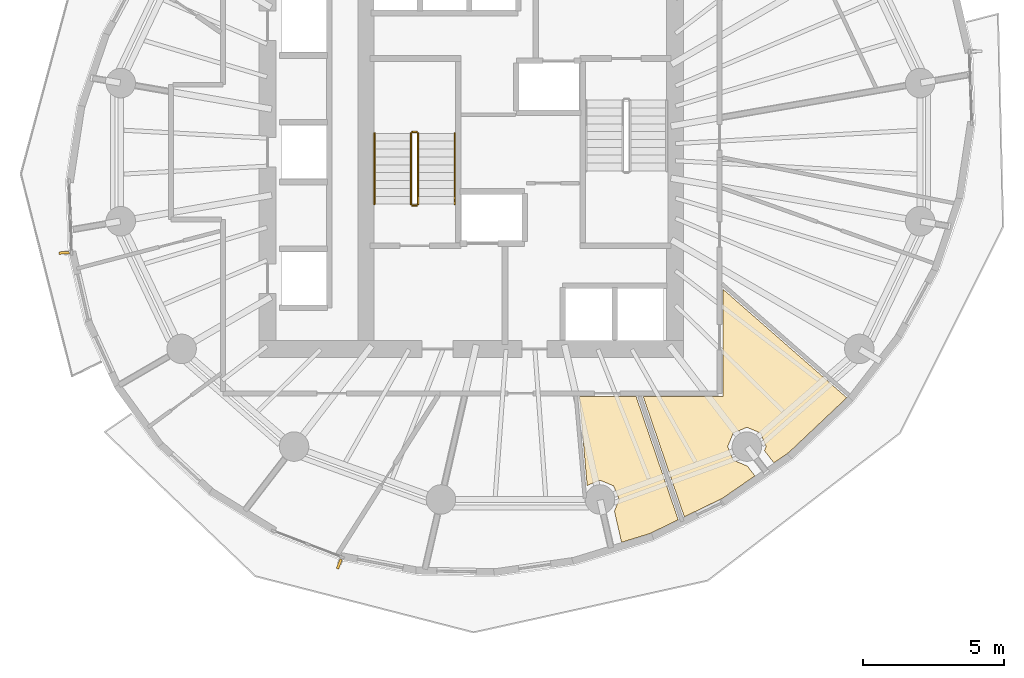
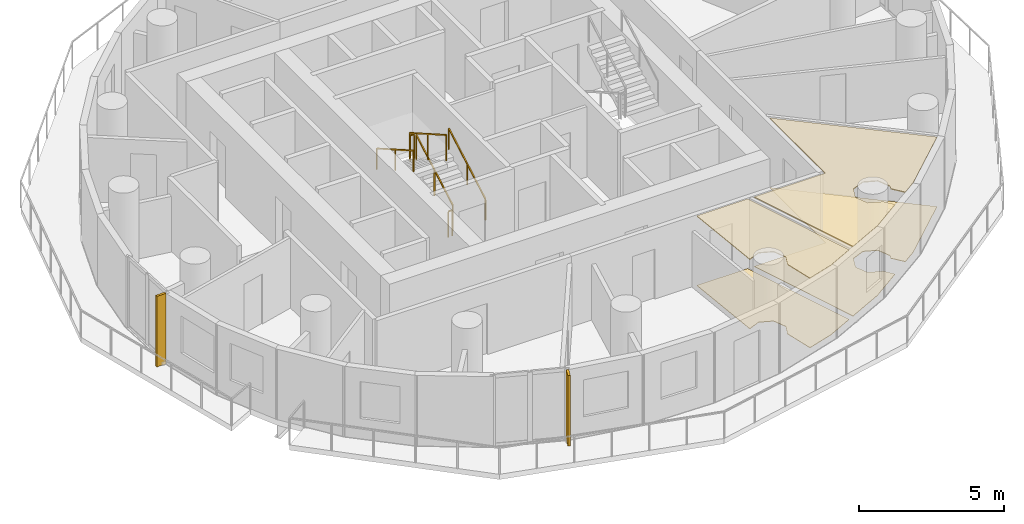
# One storey, part 10 of 14: 6 railings, 4 coverings, 2 shading devices.
"""IFC4 building model written with IfcOpenShell, lengths in metres."""

import ifcopenshell
import ifcopenshell.guid

model = None  # the IFC model being written
_history = None  # IfcOwnerHistory: only IFC2X3 demands one
_inside = {}  # id of a spatial element -> (the spatial element, [elements in it])
_under = {}  # id of a project, library or spatial element -> (it, [spatial elements below it])
_declared = {}  # id of a project -> (the project, [libraries it declares])
_typed = {}  # id of a type object -> (the type object, [elements of that type])
_made_of = {}  # id of a material, layer set ... -> (it, [elements and type objects made of it])


def new_model(schema):
    """Start an empty IFC model of exactly this schema.

    Asked for "IFC4X3", IfcOpenShell would pick the latest addendum, in which some entities
    have other attributes; the version numbers below select the first issue.
    IFC2X3 requires an IfcOwnerHistory on every rooted entity: one is made here for all.
    """
    global model, _history
    if schema == "IFC4X3":
        model = ifcopenshell.file(schema_version=(4, 3, 0, 0))
    else:
        model = ifcopenshell.file(schema=schema)
    _inside.clear()
    _under.clear()
    _declared.clear()
    _typed.clear()
    _made_of.clear()
    _history = None
    if model.schema == "IFC2X3":
        org = make("IfcOrganization", Name="unknown")
        user = make(
            "IfcPersonAndOrganization",
            ThePerson=make("IfcPerson", FamilyName="unknown"),
            TheOrganization=org,
        )
        app = make(
            "IfcApplication",
            ApplicationDeveloper=org,
            Version="unknown",
            ApplicationFullName="unknown",
            ApplicationIdentifier="unknown",
        )
        _history = make(
            "IfcOwnerHistory",
            OwningUser=user,
            OwningApplication=app,
            ChangeAction="ADDED",
            CreationDate=0,
        )
    return model


def make(cls, **values):
    """One entity of the class cls with the attributes given. An attribute that is None is left unset."""
    return model.create_entity(
        cls, **{name: value for name, value in values.items() if value is not None}
    )


def rooted(cls, **values):
    """An entity with a GlobalId (a new one), such as an element, a storey or a relation."""
    return make(cls, GlobalId=ifcopenshell.guid.new(), OwnerHistory=_history, **values)


def si_unit(unit_type, name, prefix=None):
    """IfcSIUnit, for example si_unit("LENGTHUNIT", "METRE", prefix="MILLI")."""
    return make("IfcSIUnit", UnitType=unit_type, Prefix=prefix, Name=name)


def assignment(units):
    """IfcUnitAssignment: the units of a project."""
    return None if units is None else make("IfcUnitAssignment", Units=units)


def point(xyz):
    """IfcCartesianPoint."""
    return None if xyz is None else make("IfcCartesianPoint", Coordinates=xyz)


def direction(xyz):
    """IfcDirection."""
    return None if xyz is None else make("IfcDirection", DirectionRatios=xyz)


def frame(location, z_axis=None, x_axis=None):
    """IfcAxis2Placement3D, a coordinate frame: its origin and axes. An axis left out is left unset."""
    return make(
        "IfcAxis2Placement3D",
        Location=point(location),
        Axis=direction(z_axis),
        RefDirection=direction(x_axis),
    )


def frame_2d(location, x_axis=None):
    """IfcAxis2Placement2D, a coordinate frame in the plane: its origin and x axis."""
    return make(
        "IfcAxis2Placement2D", Location=point(location), RefDirection=direction(x_axis)
    )


def origin():
    """The frame at (0, 0, 0) with its axes left unset."""
    return frame((0.0, 0.0, 0.0))


def origin_2d():
    """The frame at (0, 0) in the plane with its x axis left unset."""
    return frame_2d((0.0, 0.0))


def place(relative_to, where):
    """IfcLocalPlacement: puts the frame where relative to a parent placement (None: the world)."""
    return make(
        "IfcLocalPlacement", PlacementRelTo=relative_to, RelativePlacement=where
    )


def context(
    kind, dimensions, precision=None, world=None, true_north=None, identifier=None
):
    """IfcGeometricRepresentationContext, for example the 3D "Model" context."""
    return make(
        "IfcGeometricRepresentationContext",
        ContextIdentifier=identifier,
        ContextType=kind,
        CoordinateSpaceDimension=dimensions,
        Precision=precision,
        WorldCoordinateSystem=world,
        TrueNorth=true_north,
    )


def subcontext(parent, identifier, kind, view, scale=None):
    """IfcGeometricRepresentationSubContext, for example "Body" below "Model"."""
    return make(
        "IfcGeometricRepresentationSubContext",
        ContextIdentifier=identifier,
        ContextType=kind,
        ParentContext=parent,
        TargetScale=scale,
        TargetView=view,
    )


def project(units=None, contexts=None):
    """IfcProject with its units and contexts."""
    return rooted(
        "IfcProject",
        Name="project",
        RepresentationContexts=contexts,
        UnitsInContext=assignment(units),
    )


def spatial(cls, under=None, at=None, **own):
    """A site, building, storey or space (cls), placed at a placement, below another one or the project."""
    s = rooted(cls, ObjectPlacement=at, **own)
    if under is not None:
        _under.setdefault(under.id(), (under, []))[1].append(s)
    return s


def polyline(points):
    """IfcPolyline through the points."""
    return make("IfcPolyline", Points=[point(p) for p in points])


def profile(cls, at=None, kind="AREA", **sizes):
    """A parametric profile (cls). Its sizes go by their IFC names, for example OverallWidth=200.0."""
    return make(cls, ProfileType=kind, Position=at, **sizes)


def rectangle(**sizes):
    """IfcRectangleProfileDef."""
    return profile("IfcRectangleProfileDef", **sizes)


def outline(outer, holes=None, kind="AREA"):
    """IfcArbitraryClosedProfileDef: a profile drawn as a closed curve; with holes, ...WithVoids."""
    if holes is None:
        return make("IfcArbitraryClosedProfileDef", ProfileType=kind, OuterCurve=outer)
    return make(
        "IfcArbitraryProfileDefWithVoids",
        ProfileType=kind,
        OuterCurve=outer,
        InnerCurves=holes,
    )


def extrude(swept, where, along, depth):
    """IfcExtrudedAreaSolid: the profile swept, set in the frame where, extruded along a direction by depth."""
    return make(
        "IfcExtrudedAreaSolid",
        SweptArea=swept,
        Position=where,
        ExtrudedDirection=direction(along),
        Depth=depth,
    )


def shape(context_of_items, identifier, shape_type, items):
    """IfcShapeRepresentation: the items that make up one representation, for example the "Body"."""
    return make(
        "IfcShapeRepresentation",
        ContextOfItems=context_of_items,
        RepresentationIdentifier=identifier,
        RepresentationType=shape_type,
        Items=items,
    )


def material(Name=None, Category=None):
    """IfcMaterial."""
    return make("IfcMaterial", Name=Name, Category=Category)


def layer(
    of_material, thickness, ventilated=None, Name=None, Category=None, Priority=None
):
    """IfcMaterialLayer: one layer of a wall or slab, of a material (None: an air gap)."""
    return make(
        "IfcMaterialLayer",
        Material=of_material,
        LayerThickness=thickness,
        IsVentilated=ventilated,
        Name=Name,
        Category=Category,
        Priority=Priority,
    )


def layer_set(layers, Name=None):
    """IfcMaterialLayerSet."""
    return make("IfcMaterialLayerSet", MaterialLayers=layers, LayerSetName=Name)


def made_of(thing, what):
    """Note that an element or type object is made of a material, layer set ...; save() writes the relation."""
    if what is not None:
        _made_of.setdefault(what.id(), (what, []))[1].append(thing)
    return thing


def type_object(cls, material=None, **own):
    """A type object (cls), such as IfcWallType, which elements share."""
    return made_of(rooted(cls, **own), material)


def element(
    cls,
    number,
    at=None,
    inside=None,
    cuts=None,
    type_object=None,
    material=None,
    context=None,
    identifier="Body",
    shape_type=None,
    held_by="IfcProductDefinitionShape",
    body=None,
    shapes=None,
    **own,
):
    """One element of the class cls, such as IfcWall. Its Tag is "e" and its number.

    at: its placement. inside: the storey or other place that contains it. cuts: it is an
    opening in that element (IfcRelVoidsElement). A single representation is given by context,
    identifier, shape_type and body (its items); several are given by shapes. held_by: the class
    of the entity that holds the representations. save() writes the other relations.
    """
    e = rooted(cls, Tag="e%d" % number, ObjectPlacement=at, **own)
    if body is not None:
        shapes = [shape(context, identifier, shape_type, body)]
    if shapes is not None:
        e.Representation = make(held_by, Representations=shapes)
    if inside is not None:
        _inside.setdefault(inside.id(), (inside, []))[1].append(e)
    if cuts is not None:
        rooted(
            "IfcRelVoidsElement", RelatingBuildingElement=cuts, RelatedOpeningElement=e
        )
    if type_object is not None:
        _typed.setdefault(type_object.id(), (type_object, []))[1].append(e)
    return made_of(e, material)


def aggregate(whole, parts):
    """IfcRelAggregates: a whole, such as a stair, and the parts it consists of."""
    return rooted("IfcRelAggregates", RelatingObject=whole, RelatedObjects=parts)


def save(model, path):
    """Write the relations noted so far, then the file.

    IfcRelAggregates (storeys below a building ...), IfcRelContainedInSpatialStructure (elements
    in a storey), IfcRelDefinesByType, IfcRelAssociatesMaterial and IfcRelDeclares: one each for
    every whole, place, type object, material and project.
    """
    for whole, parts in _under.values():
        aggregate(whole, parts)
    for where, things in _inside.values():
        rooted(
            "IfcRelContainedInSpatialStructure",
            RelatedElements=things,
            RelatingStructure=where,
        )
    for kind, things in _typed.values():
        rooted("IfcRelDefinesByType", RelatedObjects=things, RelatingType=kind)
    for what, things in _made_of.values():
        rooted("IfcRelAssociatesMaterial", RelatedObjects=things, RelatingMaterial=what)
    for by, libraries in _declared.values():
        rooted("IfcRelDeclares", RelatingContext=by, RelatedDefinitions=libraries)
    model.write(path)


model = new_model("IFC4")

# Units and contexts
model_context = context("Model", 3, precision=1e-05, world=origin(), true_north=direction((0.0, 1.0)))
body_context = subcontext(model_context, "Body", "Model", "MODEL_VIEW")
ifc_project = project(units=[si_unit("LENGTHUNIT", "METRE"), si_unit("AREAUNIT", "SQUARE_METRE"), si_unit("VOLUMEUNIT", "CUBIC_METRE"), si_unit("PLANEANGLEUNIT", "RADIAN"), si_unit("MASSUNIT", "GRAM", prefix="KILO")], contexts=[model_context])

# Site, building, storey
site_placement = place(None, origin())
site = spatial("IfcSite", under=ifc_project, at=site_placement, CompositionType="ELEMENT")
building_placement = place(site_placement, origin())
building = spatial("IfcBuilding", under=site, at=building_placement, Name="Veldorim Arch Residences", CompositionType="ELEMENT")
storey_placement = place(building_placement, frame((0.0, 0.0, 126.56005859375)))
storey = spatial("IfcBuildingStorey", under=building, at=storey_placement, Name="L37", CompositionType="ELEMENT", Elevation=126.56005859375)

# Railings
ifc_material_1 = material(Name="Steel S355", Category="steel")
railing_type_1 = type_object("IfcRailingType", Name="Galvanised Steel Stair Safety Guardrail 1100", PredefinedType="GUARDRAIL", material=ifc_material_1)
railing_1_placement = place(storey_placement, frame((28.360107421875, 22.14990234375, 0.159912109375)))
element("IfcRailing", 1, at=railing_1_placement, inside=storey, type_object=railing_type_1, Name="L37 ST-1 stair guard 1", PredefinedType="GUARDRAIL", context=body_context, shape_type="SweptSolid", body=[
    extrude(rectangle(XDim=0.048095703125, YDim=0.048095703125, at=origin_2d()), frame((0.0, 0.0, 1.076171875), z_axis=(0.0, 0.868253494771, 0.496120820787), x_axis=(-1.0, 0.0, 0.0)), (0.0, 0.0, 1.0), 2.90234375),
    extrude(rectangle(XDim=0.0419921875, YDim=0.0419921875, at=origin_2d()), origin(), (0.0, 0.0, 1.0), 1.052001953125),
    extrude(rectangle(XDim=0.0419921875, YDim=0.0419921875, at=origin_2d()), frame((0.0, 1.260009765625, 0.719970703125)), (0.0, 0.0, 1.0), 1.052001953125),
    extrude(rectangle(XDim=0.0419921875, YDim=0.0419921875, at=origin_2d()), frame((0.0, 2.52001953125, 1.43994140625)), (0.0, 0.0, 1.0), 1.052001953125),
])
railing_2_placement = place(storey_placement, frame((28.31005859375, 24.719970703125, 1.599853515625)))
element("IfcRailing", 2, at=railing_2_placement, inside=storey, type_object=railing_type_1, Name="L37 ST-1 stair guard 2", PredefinedType="GUARDRAIL", context=body_context, shape_type="SweptSolid", body=[
    extrude(rectangle(XDim=0.048095703125, YDim=0.048095703125, at=origin_2d()), frame((0.0, 0.0, 1.076171875), z_axis=(-1.0, 0.0, 0.0), x_axis=(0.0, -1.0, 0.0)), (0.0, 0.0, 1.0), 0.16015625),
    extrude(rectangle(XDim=0.0419921875, YDim=0.0419921875, at=origin_2d()), origin(), (0.0, 0.0, 1.0), 1.052001953125),
    extrude(rectangle(XDim=0.0419921875, YDim=0.0419921875, at=origin_2d()), frame((-0.16015625, 0.0, 0.0)), (0.0, 0.0, 1.0), 1.052001953125),
])
railing_3_placement = place(storey_placement, frame((28.10009765625, 24.669921875, 1.760009765625)))
element("IfcRailing", 3, at=railing_3_placement, inside=storey, type_object=railing_type_1, Name="L37 ST-1 stair guard 3", PredefinedType="GUARDRAIL", context=body_context, shape_type="SweptSolid", body=[
    extrude(rectangle(XDim=0.048095703125, YDim=0.048095703125, at=origin_2d()), frame((0.0, 0.0, 1.076171875), z_axis=(0.0, -0.868253494771, 0.496120820787), x_axis=(1.0, 0.0, 0.0)), (0.0, 0.0, 1.0), 2.90234375),
    extrude(rectangle(XDim=0.0419921875, YDim=0.0419921875, at=origin_2d()), origin(), (0.0, 0.0, 1.0), 1.052001953125),
    extrude(rectangle(XDim=0.0419921875, YDim=0.0419921875, at=origin_2d()), frame((0.0, -1.260009765625, 0.719970703125)), (0.0, 0.0, 1.0), 1.052001953125),
    extrude(rectangle(XDim=0.0419921875, YDim=0.0419921875, at=origin_2d()), frame((0.0, -2.52001953125, 1.43994140625)), (0.0, 0.0, 1.0), 1.052001953125),
])
railing_4_placement = place(storey_placement, frame((28.31005859375, 22.10009765625, 0.0)))
element("IfcRailing", 4, at=railing_4_placement, inside=storey, type_object=railing_type_1, Name="L37 ST-1 stair guard 4", PredefinedType="GUARDRAIL", context=body_context, shape_type="SweptSolid", body=[
    extrude(rectangle(XDim=0.048095703125, YDim=0.048095703125, at=origin_2d()), frame((0.0, 0.0, 1.076171875), z_axis=(-1.0, 0.0, 0.0), x_axis=(0.0, -1.0, 0.0)), (0.0, 0.0, 1.0), 0.16015625),
    extrude(rectangle(XDim=0.0419921875, YDim=0.0419921875, at=origin_2d()), origin(), (0.0, 0.0, 1.0), 1.052001953125),
    extrude(rectangle(XDim=0.0419921875, YDim=0.0419921875, at=origin_2d()), frame((-0.16015625, 0.0, 0.0)), (0.0, 0.0, 1.0), 1.052001953125),
])

# Coverings
ifc_material_2 = material(Name="Acoustic Gypsum & Mineral Fibre", Category="gypsum")
ifc_layer_1 = layer(ifc_material_2, 0.034912109375, Name="Perforated Acoustic Mineral-Fibre Ceiling 35")
ifc_layer_set_1 = layer_set([ifc_layer_1], Name="Acoustic Gypsum & Mineral Fibre")
covering_type_1 = type_object("IfcCoveringType", Name="Perforated Acoustic Mineral-Fibre Ceiling 35", PredefinedType="CEILING", material=ifc_layer_set_1)
covering_1_placement = place(storey_placement, frame((0.0, 0.0, 2.905029296875)))
element("IfcCovering", 5, at=covering_1_placement, inside=storey, type_object=covering_type_1, Name="L37 acoustic suspended ceiling 01", PredefinedType="CEILING", context=body_context, shape_type="SweptSolid", body=[
    extrude(outline(polyline([(40.341552734375, 12.481201171875), (39.181396484375, 11.68115234375), (37.830078125, 11.025390625), (36.368896484375, 15.300048828125), (39.199951171875, 15.300048828125), (39.199951171875, 19.126708984375), (43.610595703125, 15.26171875), (41.542724609375, 13.3095703125), (41.015380859375, 12.946044921875), (40.681396484375, 13.38037109375), (40.74072265625, 13.5234375), (40.5400390625, 14.0078125), (40.055908203125, 14.20849609375), (39.571533203125, 14.0078125), (39.370849609375, 13.5234375), (39.571533203125, 13.039306640625), (40.055908203125, 12.838623046875), (40.064208984375, 12.842041015625), (40.341552734375, 12.481201171875)])), origin(), (0.0, 0.0, 1.0), 0.034912109375),
])
covering_2_placement = place(storey_placement, frame((0.0, 0.0, 2.905029296875)))
element("IfcCovering", 6, at=covering_2_placement, inside=storey, type_object=covering_type_1, Name="L37 acoustic suspended ceiling 02", PredefinedType="CEILING", context=body_context, shape_type="SweptSolid", body=[
    extrude(outline(polyline([(34.094482421875, 15.300048828125), (36.115234375, 15.300048828125), (37.61279296875, 10.919677734375), (36.6005859375, 10.428466796875), (35.5966796875, 10.119140625), (35.342529296875, 11.229248046875), (35.513671875, 11.64208984375), (35.31298828125, 12.12646484375), (34.828857421875, 12.326904296875), (34.373779296875, 12.138671875), (34.094482421875, 15.300048828125)])), origin(), (0.0, 0.0, 1.0), 0.034912109375),
])
ifc_material_3 = material(Name="Porcelain Ceramic Tile", Category="ceramic")
ifc_layer_2 = layer(ifc_material_3, 0.02001953125, Name="Slip-Resistant Porcelain & Vinyl Floor Finish 20")
ifc_layer_set_2 = layer_set([ifc_layer_2], Name="Porcelain Ceramic Tile")
covering_type_2 = type_object("IfcCoveringType", Name="Slip-Resistant Porcelain & Vinyl Floor Finish 20", PredefinedType="FLOORING", material=ifc_layer_set_2)
covering_3_placement = place(storey_placement, origin())
element("IfcCovering", 7, at=covering_3_placement, inside=storey, type_object=covering_type_2, Name="L37 porcelain floor finish 01", PredefinedType="FLOORING", context=body_context, shape_type="SweptSolid", body=[
    extrude(outline(polyline([(40.341552734375, 12.481201171875), (39.181396484375, 11.68115234375), (37.830078125, 11.025390625), (36.368896484375, 15.300048828125), (39.199951171875, 15.300048828125), (39.199951171875, 19.126708984375), (43.610595703125, 15.26171875), (41.542724609375, 13.3095703125), (41.015380859375, 12.946044921875), (40.681396484375, 13.38037109375), (40.74072265625, 13.5234375), (40.5400390625, 14.0078125), (40.055908203125, 14.20849609375), (39.571533203125, 14.0078125), (39.370849609375, 13.5234375), (39.571533203125, 13.039306640625), (40.055908203125, 12.838623046875), (40.064208984375, 12.842041015625), (40.341552734375, 12.481201171875)])), origin(), (0.0, 0.0, 1.0), 0.02001953125),
])
covering_4_placement = place(storey_placement, origin())
element("IfcCovering", 8, at=covering_4_placement, inside=storey, type_object=covering_type_2, Name="L37 porcelain floor finish 02", PredefinedType="FLOORING", context=body_context, shape_type="SweptSolid", body=[
    extrude(outline(polyline([(34.094482421875, 15.300048828125), (36.115234375, 15.300048828125), (37.61279296875, 10.919677734375), (36.6005859375, 10.428466796875), (35.5966796875, 10.119140625), (35.342529296875, 11.229248046875), (35.513671875, 11.64208984375), (35.31298828125, 12.12646484375), (34.828857421875, 12.326904296875), (34.373779296875, 12.138671875), (34.094482421875, 15.300048828125)])), origin(), (0.0, 0.0, 1.0), 0.02001953125),
])

# Railings
ifc_material_4 = material(Name="Stainless Steel", Category="steel")
railing_type_2 = type_object("IfcRailingType", Name="Tubular Steel Continuous Wall Handrail 900", PredefinedType="HANDRAIL", material=ifc_material_4)
railing_5_placement = place(storey_placement, frame((29.659912109375, 22.14990234375, 0.159912109375)))
element("IfcRailing", 9, at=railing_5_placement, inside=storey, type_object=railing_type_2, Name="L37 ST-1 stair handrail 1", PredefinedType="HANDRAIL", context=body_context, shape_type="SweptSolid", body=[
    extrude(rectangle(XDim=0.048095703125, YDim=0.048095703125, at=origin_2d()), frame((0.0, 0.0, 0.8759765625), z_axis=(0.0, 0.868253494771, 0.496120820787), x_axis=(-1.0, 0.0, 0.0)), (0.0, 0.0, 1.0), 2.90234375),
    extrude(rectangle(XDim=0.0419921875, YDim=0.0419921875, at=origin_2d()), origin(), (0.0, 0.0, 1.0), 0.851806640625),
    extrude(rectangle(XDim=0.0419921875, YDim=0.0419921875, at=origin_2d()), frame((0.0, 1.260009765625, 0.719970703125)), (0.0, 0.0, 1.0), 0.851806640625),
    extrude(rectangle(XDim=0.0419921875, YDim=0.0419921875, at=origin_2d()), frame((0.0, 2.52001953125, 1.43994140625)), (0.0, 0.0, 1.0), 0.851806640625),
])
railing_6_placement = place(storey_placement, frame((26.800048828125, 24.669921875, 1.760009765625)))
element("IfcRailing", 10, at=railing_6_placement, inside=storey, type_object=railing_type_2, Name="L37 ST-1 stair handrail 2", PredefinedType="HANDRAIL", context=body_context, shape_type="SweptSolid", body=[
    extrude(rectangle(XDim=0.048095703125, YDim=0.048095703125, at=origin_2d()), frame((0.0, 0.0, 0.8759765625), z_axis=(0.0, -0.868253494771, 0.496120820787), x_axis=(1.0, 0.0, 0.0)), (0.0, 0.0, 1.0), 2.90234375),
    extrude(rectangle(XDim=0.0419921875, YDim=0.0419921875, at=origin_2d()), origin(), (0.0, 0.0, 1.0), 0.851806640625),
    extrude(rectangle(XDim=0.0419921875, YDim=0.0419921875, at=origin_2d()), frame((0.0, -1.260009765625, 0.719970703125)), (0.0, 0.0, 1.0), 0.851806640625),
    extrude(rectangle(XDim=0.0419921875, YDim=0.0419921875, at=origin_2d()), frame((0.0, -2.52001953125, 1.43994140625)), (0.0, 0.0, 1.0), 0.851806640625),
])

# Shading devices
ifc_material_5 = material(Name="Terracotta Ceramic", Category="masonry")
ifc_layer_3 = layer(ifc_material_5, 0.090087890625, Name="Vertical Extruded Terracotta Baguette Sun-Shading Fin")
ifc_layer_set_3 = layer_set([ifc_layer_3], Name="Terracotta Ceramic")
shading_device_type = type_object("IfcShadingDeviceType", Name="Vertical Extruded Terracotta Baguette Sun-Shading Fin", PredefinedType="USERDEFINED", material=ifc_layer_set_3)
for number, where, z_axis, x_axis, name in (
    (11, (15.765380859375, 20.416015625, 0.0), (0.0, 0.0, 1.0), (-0.035422771708, 0.999372416692, 0.0), "L37 vertical terracotta sun-shading fin 16"),
    (12, (25.552978515625, 9.343017578125, 0.0), (0.0, 0.0, 1.0), (-0.934079892355, 0.357064076459, 0.0), "L37 vertical terracotta sun-shading fin 22"),
):
    element("IfcShadingDevice", number, at=place(storey_placement, frame(where, z_axis=z_axis, x_axis=x_axis)), inside=storey, type_object=shading_device_type, Name=name, ObjectType="FIN", PredefinedType="USERDEFINED", context=body_context, shape_type="SweptSolid", body=[
        extrude(rectangle(XDim=0.090087890625, YDim=0.360107421875, at=origin_2d()), origin(), (0.0, 0.0, 1.0), 2.9599609375),
    ])

save(model, "model.ifc")
